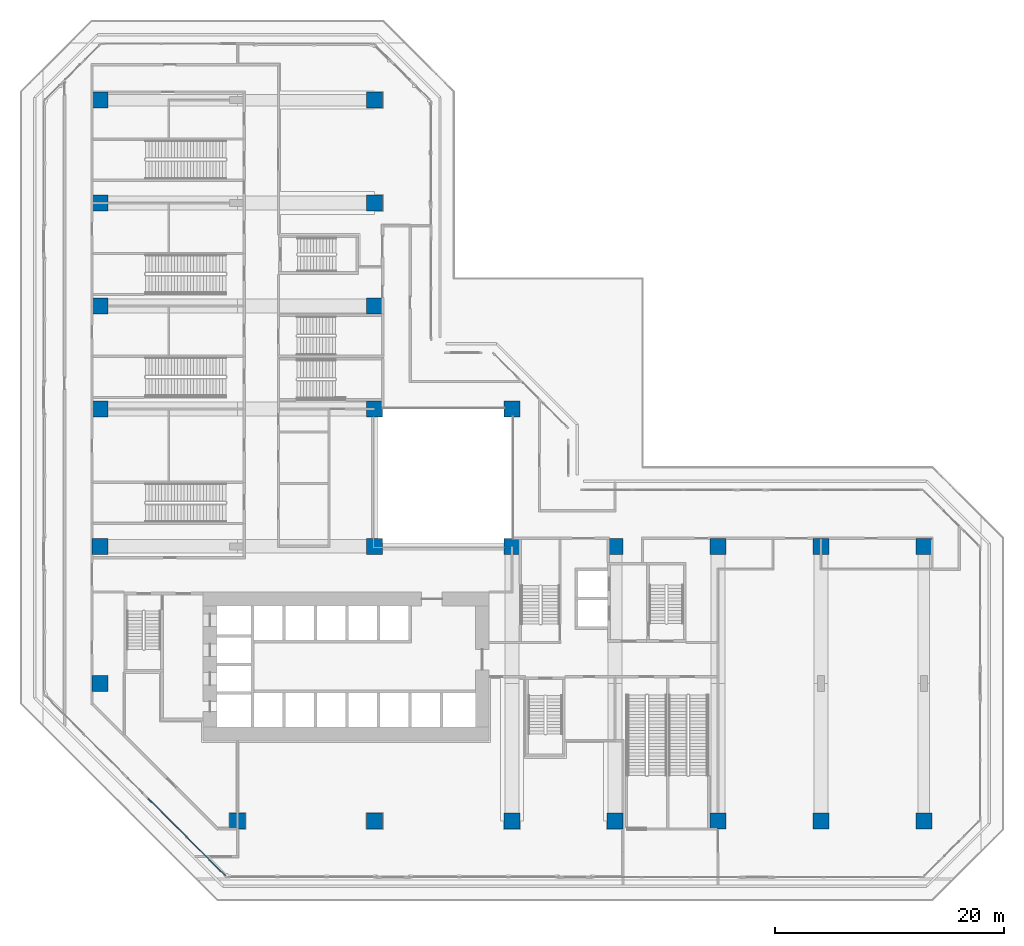
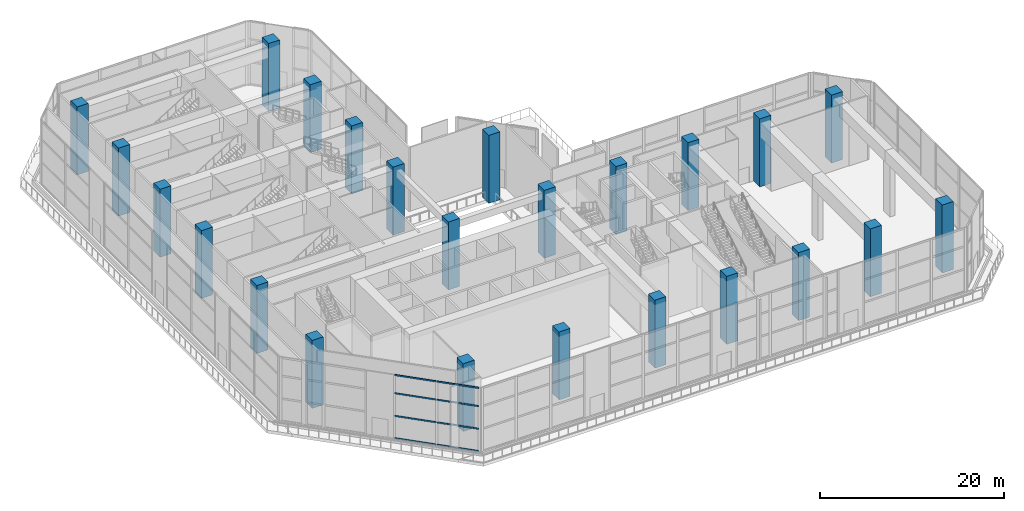
# One storey, part 1 of 28: 24 columns, 8 members, 1 element without a shape of its own.
"""IFC4 building model written with IfcOpenShell, lengths in metres."""

from ifc_helpers import new_model, si_unit, direction, frame, origin, origin_2d, place, context, subcontext, project, spatial, rectangle, extrude, material, layer, layer_set, material_profile, profile_set, type_object, element, aggregate, save


model = new_model("IFC4")

# Units and contexts
model_context = context("Model", 3, precision=1e-05, world=origin(), true_north=direction((0.0, 1.0)))
body_context = subcontext(model_context, "Body", "Model", "MODEL_VIEW")
ifc_project = project(units=[si_unit("LENGTHUNIT", "METRE"), si_unit("AREAUNIT", "SQUARE_METRE"), si_unit("VOLUMEUNIT", "CUBIC_METRE"), si_unit("PLANEANGLEUNIT", "RADIAN"), si_unit("MASSUNIT", "GRAM", prefix="KILO")], contexts=[model_context])

# Site, building, storey
site_placement = place(None, origin())
site = spatial("IfcSite", under=ifc_project, at=site_placement, CompositionType="ELEMENT")
building_placement = place(site_placement, origin())
building = spatial("IfcBuilding", under=site, at=building_placement, Name="Chenar Terraces", CompositionType="ELEMENT")
storey_placement = place(building_placement, frame((0.0, 0.0, 26.39990234375)))
storey = spatial("IfcBuildingStorey", under=building, at=storey_placement, Name="L05", CompositionType="ELEMENT", Elevation=26.39990234375)

# Columns
ifc_material_1 = material(Name="Concrete C60/75", Category="concrete")
ifc_material_profile_1 = material_profile(ifc_material_1, rectangle(XDim=1.39990234375, YDim=1.39990234375, at=origin_2d()), Name="C 1400 x 1400")
ifc_profile_set_1 = profile_set([ifc_material_profile_1], Name="Concrete C60/75")
column_type = type_object("IfcColumnType", Name="Column C 1400 x 1400 Concrete C60/75", PredefinedType="COLUMN", material=ifc_profile_set_1)
for number, where, z_axis, x_axis, name in (
    (1, (12.0, 0.0, 0.0), (0.0, 0.0, 1.0), (1.0, 0.0, 0.0), "Column 6/E L05"),
    (2, (24.0, 0.0, 0.0), (0.0, 0.0, 1.0), (1.0, 0.0, 0.0), "Column 7/E L05"),
    (3, (36.0, 0.0, 0.0), (0.0, 0.0, 1.0), (1.0, 0.0, 0.0), "Column 8/E L05"),
    (4, (45.0, 0.0, 0.0), (0.0, 0.0, 1.0), (1.0, 0.0, 0.0), "Column 9/E L05"),
    (5, (54.0, 0.0, 0.0), (0.0, 0.0, 1.0), (1.0, 0.0, 0.0), "Column 10/E L05"),
    (6, (63.0, 0.0, 0.0), (0.0, 0.0, 1.0), (1.0, 0.0, 0.0), "Column 11/E L05"),
    (7, (72.0, 0.0, 0.0), (0.0, 0.0, 1.0), (1.0, 0.0, 0.0), "Column 12/E L05"),
    (8, (0.0, 12.0, 0.0), (0.0, 0.0, 1.0), (1.0, 0.0, 0.0), "Column 5/F L05"),
    (9, (0.0, 24.0, 0.0), (0.0, 0.0, 1.0), (1.0, 0.0, 0.0), "Column 5/G L05"),
    (10, (24.0, 24.0, 0.0), (0.0, 0.0, 1.0), (1.0, 0.0, 0.0), "Column 7/G L05"),
    (11, (36.0, 24.0, 0.0), (0.0, 0.0, 1.0), (1.0, 0.0, 0.0), "Column 8/G L05"),
    (12, (45.0, 24.0, 0.0), (0.0, 0.0, 1.0), (1.0, 0.0, 0.0), "Column 9/G L05"),
    (13, (54.0, 24.0, 0.0), (0.0, 0.0, 1.0), (1.0, 0.0, 0.0), "Column 10/G L05"),
    (14, (63.0, 24.0, 0.0), (0.0, 0.0, 1.0), (1.0, 0.0, 0.0), "Column 11/G L05"),
    (15, (72.0, 24.0, 0.0), (0.0, 0.0, 1.0), (1.0, 0.0, 0.0), "Column 12/G L05"),
    (16, (0.0, 36.0, 0.0), (0.0, 0.0, 1.0), (1.0, 0.0, 0.0), "Column 5/H L05"),
    (17, (24.0, 36.0, 0.0), (0.0, 0.0, 1.0), (1.0, 0.0, 0.0), "Column 7/H L05"),
    (18, (36.0, 36.0, 0.0), (0.0, 0.0, 1.0), (1.0, 0.0, 0.0), "Column 8/H L05"),
    (19, (0.0, 45.0, 0.0), (0.0, 0.0, 1.0), (1.0, 0.0, 0.0), "Column 5/J L05"),
    (20, (24.0, 45.0, 0.0), (0.0, 0.0, 1.0), (1.0, 0.0, 0.0), "Column 7/J L05"),
    (21, (0.0, 54.0, 0.0), (0.0, 0.0, 1.0), (1.0, 0.0, 0.0), "Column 5/K L05"),
    (22, (24.0, 54.0, 0.0), (0.0, 0.0, 1.0), (1.0, 0.0, 0.0), "Column 7/K L05"),
    (23, (0.0, 63.0, 0.0), (0.0, 0.0, 1.0), (1.0, 0.0, 0.0), "Column 5/L L05"),
    (24, (24.0, 63.0, 0.0), (0.0, 0.0, 1.0), (1.0, 0.0, 0.0), "Column 7/L L05"),
):
    element("IfcColumn", number, at=place(storey_placement, frame(where, z_axis=z_axis, x_axis=x_axis)), inside=storey, type_object=column_type, Name=name, PredefinedType="COLUMN", context=body_context, shape_type="SweptSolid", body=[
        extrude(rectangle(XDim=1.39990234375, YDim=1.39990234375, at=origin_2d()), origin(), (0.0, 0.0, 1.0), 9.0),
    ])

# Curtain wall, members
ifc_material_2 = material(Name="Aluminium framed glazing", Category="aluminium")
ifc_layer = layer(ifc_material_2, 0.14990234375)
ifc_layer_set = layer_set([ifc_layer], Name="Aluminium framed glazing")
curtain_wall_type = type_object("IfcCurtainWallType", Name="Hall curtain wall", PredefinedType="NOTDEFINED", material=ifc_layer_set)
curtain_wall_placement = place(storey_placement, origin())
curtain_wall = element("IfcCurtainWall", 25, at=curtain_wall_placement, inside=storey, type_object=curtain_wall_type, Name="Hall curtain wall", PredefinedType="NOTDEFINED")
ifc_material_3 = material(Name="Aluminium", Category="aluminium")
ifc_material_profile_2 = material_profile(ifc_material_3, rectangle(XDim=0.090087890625, YDim=0.199951171875, at=origin_2d()), Name="Hall glazing transom 90 x 200")
ifc_profile_set_2 = profile_set([ifc_material_profile_2], Name="Aluminium")
member_type = type_object("IfcMemberType", Name="Hall glazing transom 90 x 200", PredefinedType="USERDEFINED", material=ifc_profile_set_2)
member_1_placement = place(storey_placement, frame((4.21142578125, 1.945068359375, 0.045166015625), z_axis=(0.707106781187, -0.707106781187, 0.0), x_axis=(0.707106781187, 0.707106781187, 0.0)))
member_1 = element("IfcMember", 26, at=member_1_placement, type_object=member_type, Name="CW5-11c1 transom 1.1", ObjectType="TRANSOM", PredefinedType="USERDEFINED", context=body_context, shape_type="SweptSolid", body=[
    extrude(rectangle(XDim=0.090087890625, YDim=0.199951171875, at=origin_2d()), origin(), (0.0, 0.0, 1.0), 4.70849609375),
])
member_2_placement = place(storey_placement, frame((4.21142578125, 1.945068359375, 3.0), z_axis=(0.707106781187, -0.707106781187, 0.0), x_axis=(0.707106781187, 0.707106781187, 0.0)))
member_2 = element("IfcMember", 27, at=member_2_placement, type_object=member_type, Name="CW5-11c1 transom 1.2", ObjectType="TRANSOM", PredefinedType="USERDEFINED", context=body_context, shape_type="SweptSolid", body=[
    extrude(rectangle(XDim=0.090087890625, YDim=0.199951171875, at=origin_2d()), origin(), (0.0, 0.0, 1.0), 4.70849609375),
])
member_3_placement = place(storey_placement, frame((4.21142578125, 1.945068359375, 6.0), z_axis=(0.707106781187, -0.707106781187, 0.0), x_axis=(0.707106781187, 0.707106781187, 0.0)))
member_3 = element("IfcMember", 28, at=member_3_placement, type_object=member_type, Name="CW5-11c1 transom 1.3", ObjectType="TRANSOM", PredefinedType="USERDEFINED", context=body_context, shape_type="SweptSolid", body=[
    extrude(rectangle(XDim=0.090087890625, YDim=0.199951171875, at=origin_2d()), origin(), (0.0, 0.0, 1.0), 4.70849609375),
])
member_4_placement = place(storey_placement, frame((4.21142578125, 1.945068359375, 8.405029296875), z_axis=(0.707106781187, -0.707106781187, 0.0), x_axis=(0.707106781187, 0.707106781187, 0.0)))
member_4 = element("IfcMember", 29, at=member_4_placement, type_object=member_type, Name="CW5-11c1 transom 1.4", ObjectType="TRANSOM", PredefinedType="USERDEFINED", context=body_context, shape_type="SweptSolid", body=[
    extrude(rectangle(XDim=0.090087890625, YDim=0.199951171875, at=origin_2d()), origin(), (0.0, 0.0, 1.0), 4.70849609375),
])
member_5_placement = place(storey_placement, frame((7.604248046875, -1.447998046875, 0.045166015625), z_axis=(0.707106781187, -0.707106781187, 0.0), x_axis=(0.707106781187, 0.707106781187, 0.0)))
member_5 = element("IfcMember", 30, at=member_5_placement, type_object=member_type, Name="CW5-11c1 transom 2.1", ObjectType="TRANSOM", PredefinedType="USERDEFINED", context=body_context, shape_type="SweptSolid", body=[
    extrude(rectangle(XDim=0.090087890625, YDim=0.199951171875, at=origin_2d()), origin(), (0.0, 0.0, 1.0), 4.70849609375),
])
member_6_placement = place(storey_placement, frame((7.604248046875, -1.447998046875, 3.0), z_axis=(0.707106781187, -0.707106781187, 0.0), x_axis=(0.707106781187, 0.707106781187, 0.0)))
member_6 = element("IfcMember", 31, at=member_6_placement, type_object=member_type, Name="CW5-11c1 transom 2.2", ObjectType="TRANSOM", PredefinedType="USERDEFINED", context=body_context, shape_type="SweptSolid", body=[
    extrude(rectangle(XDim=0.090087890625, YDim=0.199951171875, at=origin_2d()), origin(), (0.0, 0.0, 1.0), 4.70849609375),
])
member_7_placement = place(storey_placement, frame((7.604248046875, -1.447998046875, 6.0), z_axis=(0.707106781187, -0.707106781187, 0.0), x_axis=(0.707106781187, 0.707106781187, 0.0)))
member_7 = element("IfcMember", 32, at=member_7_placement, type_object=member_type, Name="CW5-11c1 transom 2.3", ObjectType="TRANSOM", PredefinedType="USERDEFINED", context=body_context, shape_type="SweptSolid", body=[
    extrude(rectangle(XDim=0.090087890625, YDim=0.199951171875, at=origin_2d()), origin(), (0.0, 0.0, 1.0), 4.70849609375),
])
member_8_placement = place(storey_placement, frame((7.604248046875, -1.447998046875, 8.405029296875), z_axis=(0.707106781187, -0.707106781187, 0.0), x_axis=(0.707106781187, 0.707106781187, 0.0)))
member_8 = element("IfcMember", 33, at=member_8_placement, type_object=member_type, Name="CW5-11c1 transom 2.4", ObjectType="TRANSOM", PredefinedType="USERDEFINED", context=body_context, shape_type="SweptSolid", body=[
    extrude(rectangle(XDim=0.090087890625, YDim=0.199951171875, at=origin_2d()), origin(), (0.0, 0.0, 1.0), 4.70849609375),
])
aggregate(curtain_wall, [member_1, member_2, member_3, member_4, member_5, member_6, member_7, member_8])

save(model, "model.ifc")
